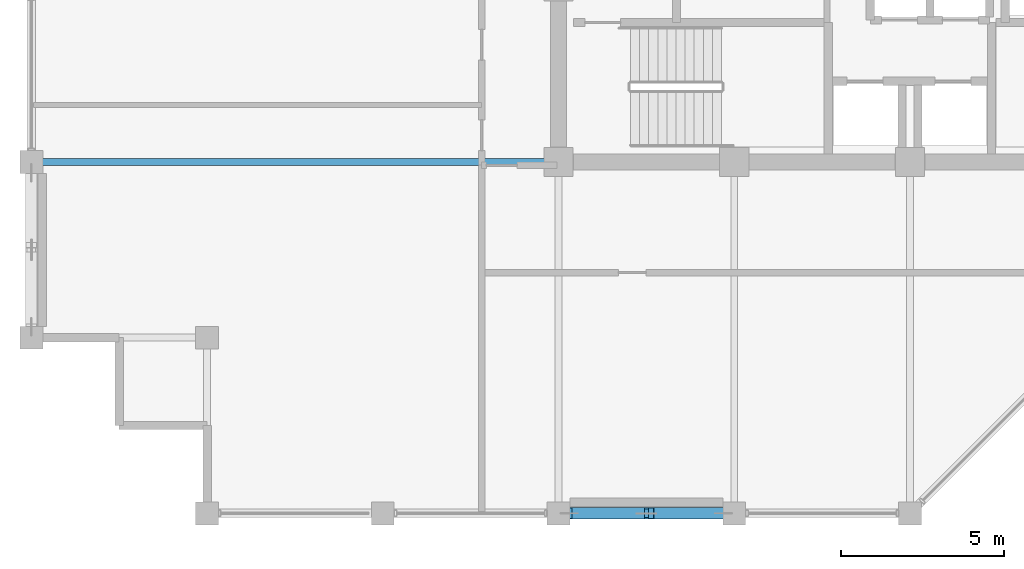
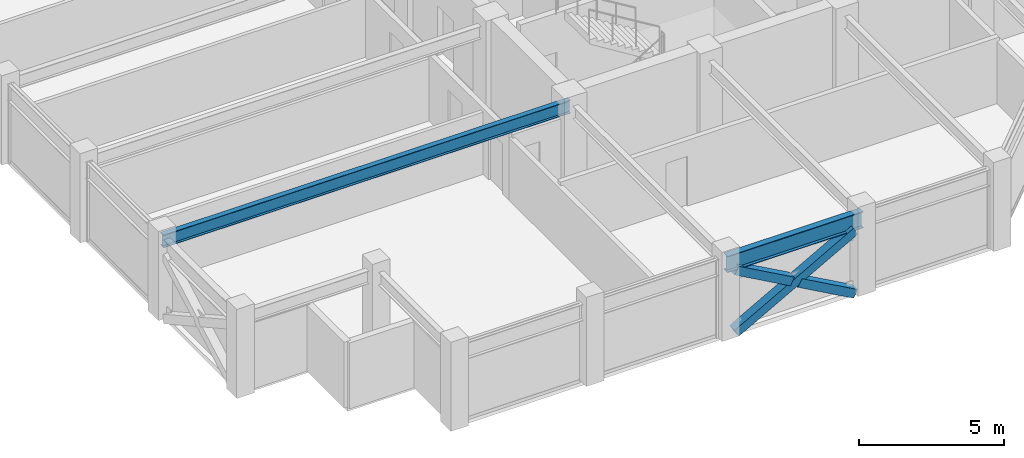
# One storey, part 5 of 31: 3 members, 2 beams.
"""IFC4 building model written with IfcOpenShell, lengths in metres."""

from ifc_helpers import new_model, si_unit, direction, frame, origin, origin_2d, place, context, subcontext, project, spatial, hollow_rectangle, i_section, extrude, material, material_profile, profile_set, type_object, element, save


model = new_model("IFC4")

# Units and contexts
model_context = context("Model", 3, precision=1e-05, world=origin(), true_north=direction((0.0, 1.0)))
body_context = subcontext(model_context, "Body", "Model", "MODEL_VIEW")
ifc_project = project(units=[si_unit("LENGTHUNIT", "METRE"), si_unit("AREAUNIT", "SQUARE_METRE"), si_unit("VOLUMEUNIT", "CUBIC_METRE"), si_unit("PLANEANGLEUNIT", "RADIAN"), si_unit("MASSUNIT", "GRAM", prefix="KILO")], contexts=[model_context])

# Site, building, storey
site_placement = place(None, origin())
site = spatial("IfcSite", under=ifc_project, at=site_placement, CompositionType="ELEMENT")
building_placement = place(site_placement, origin())
building = spatial("IfcBuilding", under=site, at=building_placement, Name="Surkhivell Harbour Commons", CompositionType="ELEMENT")
storey_placement = place(building_placement, frame((0.0, 0.0, 333.75)))
storey = spatial("IfcBuildingStorey", under=building, at=storey_placement, Name="L87", CompositionType="ELEMENT", Elevation=333.75)

# Beams
ifc_material = material(Name="Steel S355", Category="steel")
ifc_material_profile_1 = material_profile(ifc_material, i_section(OverallWidth=0.2099609375, OverallDepth=0.537109375, WebThickness=0.0107421875, FlangeThickness=0.017333984375, at=origin_2d()), Name="UB533x210x101")
ifc_profile_set_1 = profile_set([ifc_material_profile_1], Name="Steel S355")
beam_type_1 = type_object("IfcBeamType", Name="BM-GRD-533B", PredefinedType="BEAM", material=ifc_profile_set_1)
beam_1_placement = place(storey_placement, frame((-27.0, -10.800048828125, 3.0615234375), z_axis=(1.0, 0.0, 0.0), x_axis=(0.0, 1.0, 0.0)))
element("IfcBeam", 1, at=beam_1_placement, inside=storey, type_object=beam_type_1, Name="L87 Floor Girder (-27.0,-10.8)", PredefinedType="BEAM", context=body_context, shape_type="SweptSolid", body=[
    extrude(i_section(OverallWidth=0.2099609375, OverallDepth=0.537109375, WebThickness=0.0107421875, FlangeThickness=0.017333984375, at=origin_2d()), origin(), (0.0, 0.0, 1.0), 16.199951171875),
])
ifc_material_profile_2 = material_profile(ifc_material, i_section(OverallWidth=0.256103515625, OverallDepth=0.693115234375, WebThickness=0.014404296875, FlangeThickness=0.023681640625, at=origin_2d()), Name="UB686x254x170")
ifc_profile_set_2 = profile_set([ifc_material_profile_2], Name="Steel S355")
beam_type_2 = type_object("IfcBeamType", Name="BM-SPN-686", PredefinedType="SPANDREL", material=ifc_profile_set_2)
beam_2_placement = place(storey_placement, frame((-10.800048828125, -21.60009765625, 2.9833984375), z_axis=(1.0, 0.0, 0.0), x_axis=(0.0, 1.0, 0.0)))
element("IfcBeam", 2, at=beam_2_placement, inside=storey, type_object=beam_type_2, Name="L87 Tube Spandrel (-10.8,-21.6)", PredefinedType="SPANDREL", context=body_context, shape_type="SweptSolid", body=[
    extrude(i_section(OverallWidth=0.256103515625, OverallDepth=0.693115234375, WebThickness=0.014404296875, FlangeThickness=0.023681640625, at=origin_2d()), origin(), (0.0, 0.0, 1.0), 5.400146484375),
])

# Members
ifc_material_profile_3 = material_profile(ifc_material, hollow_rectangle(XDim=0.35009765625, YDim=0.35009765625, WallThickness=0.01611328125, at=origin_2d()), Name="SHS350x350x16")
ifc_profile_set_3 = profile_set([ifc_material_profile_3], Name="Steel S355")
member_type = type_object("IfcMemberType", Name="MEM-BRC-SHS350", PredefinedType="BRACE", material=ifc_profile_set_3)
member_1_placement = place(storey_placement, frame((-10.465087890625, -21.60009765625, 0.008056640625), z_axis=(0.873742134314, 0.0, 0.486389435252), x_axis=(0.0, 1.0, 0.0)))
element("IfcMember", 3, at=member_1_placement, inside=storey, type_object=member_type, Name="L87 Perimeter Mega-Brace MB- 07", PredefinedType="BRACE", context=body_context, shape_type="SweptSolid", body=[
    extrude(hollow_rectangle(XDim=0.35009765625, YDim=0.35009765625, WallThickness=0.01611328125, at=origin_2d()), origin(), (0.0, 0.0, 1.0), 5.41357421875),
])
member_2_placement = place(storey_placement, frame((-5.735107421875, -21.60009765625, 0.008056640625), z_axis=(-0.873716887914, 0.0, 0.486434784708), x_axis=(0.0, -1.0, 0.0)))
element("IfcMember", 4, at=member_2_placement, inside=storey, type_object=member_type, Name="L87 Perimeter Mega-Brace MB- 08", PredefinedType="BRACE", context=body_context, shape_type="SweptSolid", body=[
    extrude(hollow_rectangle(XDim=0.35009765625, YDim=0.35009765625, WallThickness=0.01611328125, at=origin_2d()), origin(), (0.0, 0.0, 1.0), 2.53857421875),
])
member_3_placement = place(storey_placement, frame((-8.246826171875, -21.60009765625, 1.40625), z_axis=(-0.873739641, 0.0, 0.486393914173), x_axis=(0.0, -1.0, 0.0)))
element("IfcMember", 5, at=member_3_placement, inside=storey, type_object=member_type, Name="L87 Perimeter Mega-Brace MB- 09", PredefinedType="BRACE", context=body_context, shape_type="SweptSolid", body=[
    extrude(hollow_rectangle(XDim=0.35009765625, YDim=0.35009765625, WallThickness=0.01611328125, at=origin_2d()), origin(), (0.0, 0.0, 1.0), 2.538818359375),
])

save(model, "model.ifc")
